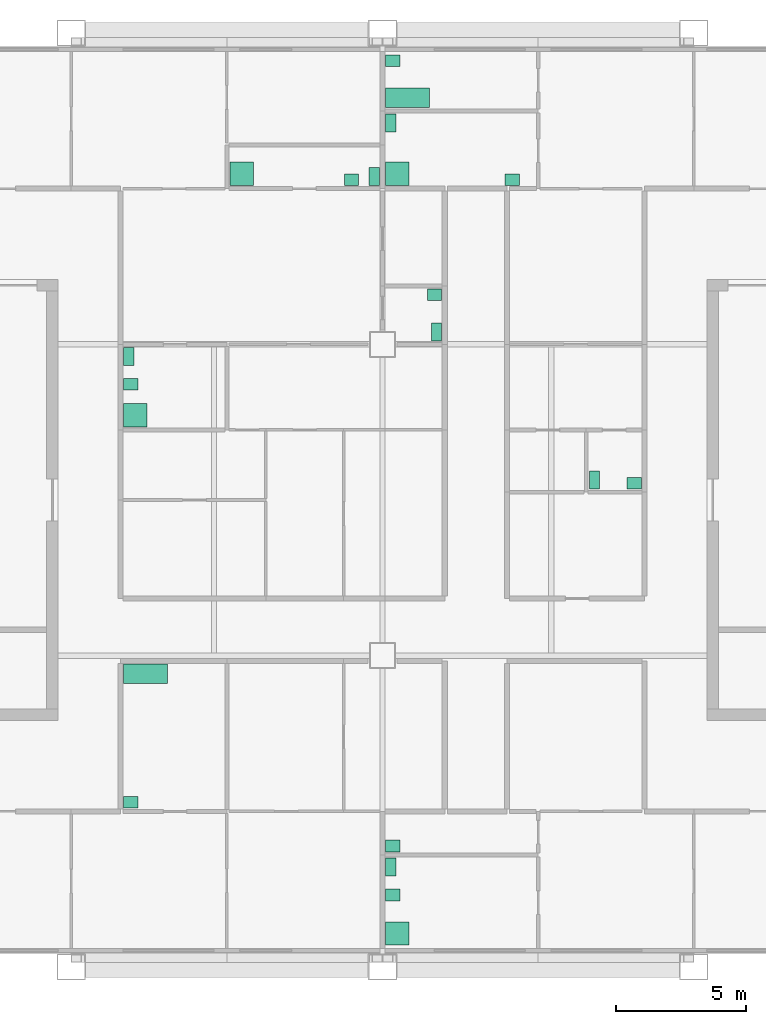
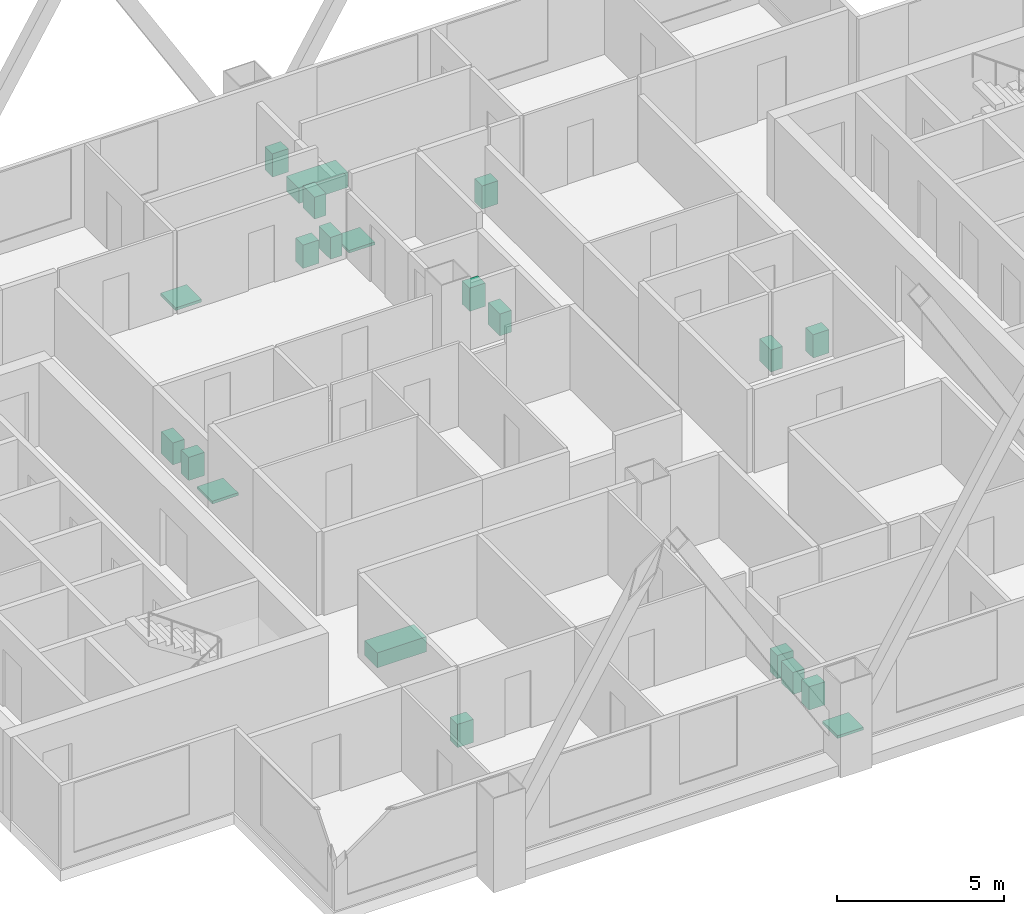
# One storey, part 9 of 9: 21 sanitary terminals.
"""IFC4 building model written with IfcOpenShell, lengths in metres."""

import ifcopenshell
import ifcopenshell.guid

model = None  # the IFC model being written
_history = None  # IfcOwnerHistory: only IFC2X3 demands one
_inside = {}  # id of a spatial element -> (the spatial element, [elements in it])
_under = {}  # id of a project, library or spatial element -> (it, [spatial elements below it])
_declared = {}  # id of a project -> (the project, [libraries it declares])
_typed = {}  # id of a type object -> (the type object, [elements of that type])
_made_of = {}  # id of a material, layer set ... -> (it, [elements and type objects made of it])


def new_model(schema):
    """Start an empty IFC model of exactly this schema.

    Asked for "IFC4X3", IfcOpenShell would pick the latest addendum, in which some entities
    have other attributes; the version numbers below select the first issue.
    IFC2X3 requires an IfcOwnerHistory on every rooted entity: one is made here for all.
    """
    global model, _history
    if schema == "IFC4X3":
        model = ifcopenshell.file(schema_version=(4, 3, 0, 0))
    else:
        model = ifcopenshell.file(schema=schema)
    _inside.clear()
    _under.clear()
    _declared.clear()
    _typed.clear()
    _made_of.clear()
    _history = None
    if model.schema == "IFC2X3":
        org = make("IfcOrganization", Name="unknown")
        user = make(
            "IfcPersonAndOrganization",
            ThePerson=make("IfcPerson", FamilyName="unknown"),
            TheOrganization=org,
        )
        app = make(
            "IfcApplication",
            ApplicationDeveloper=org,
            Version="unknown",
            ApplicationFullName="unknown",
            ApplicationIdentifier="unknown",
        )
        _history = make(
            "IfcOwnerHistory",
            OwningUser=user,
            OwningApplication=app,
            ChangeAction="ADDED",
            CreationDate=0,
        )
    return model


def make(cls, **values):
    """One entity of the class cls with the attributes given. An attribute that is None is left unset."""
    return model.create_entity(
        cls, **{name: value for name, value in values.items() if value is not None}
    )


def rooted(cls, **values):
    """An entity with a GlobalId (a new one), such as an element, a storey or a relation."""
    return make(cls, GlobalId=ifcopenshell.guid.new(), OwnerHistory=_history, **values)


def si_unit(unit_type, name, prefix=None):
    """IfcSIUnit, for example si_unit("LENGTHUNIT", "METRE", prefix="MILLI")."""
    return make("IfcSIUnit", UnitType=unit_type, Prefix=prefix, Name=name)


def assignment(units):
    """IfcUnitAssignment: the units of a project."""
    return None if units is None else make("IfcUnitAssignment", Units=units)


def point(xyz):
    """IfcCartesianPoint."""
    return None if xyz is None else make("IfcCartesianPoint", Coordinates=xyz)


def direction(xyz):
    """IfcDirection."""
    return None if xyz is None else make("IfcDirection", DirectionRatios=xyz)


def frame(location, z_axis=None, x_axis=None):
    """IfcAxis2Placement3D, a coordinate frame: its origin and axes. An axis left out is left unset."""
    return make(
        "IfcAxis2Placement3D",
        Location=point(location),
        Axis=direction(z_axis),
        RefDirection=direction(x_axis),
    )


def frame_2d(location, x_axis=None):
    """IfcAxis2Placement2D, a coordinate frame in the plane: its origin and x axis."""
    return make(
        "IfcAxis2Placement2D", Location=point(location), RefDirection=direction(x_axis)
    )


def origin():
    """The frame at (0, 0, 0) with its axes left unset."""
    return frame((0.0, 0.0, 0.0))


def origin_2d():
    """The frame at (0, 0) in the plane with its x axis left unset."""
    return frame_2d((0.0, 0.0))


def place(relative_to, where):
    """IfcLocalPlacement: puts the frame where relative to a parent placement (None: the world)."""
    return make(
        "IfcLocalPlacement", PlacementRelTo=relative_to, RelativePlacement=where
    )


def context(
    kind, dimensions, precision=None, world=None, true_north=None, identifier=None
):
    """IfcGeometricRepresentationContext, for example the 3D "Model" context."""
    return make(
        "IfcGeometricRepresentationContext",
        ContextIdentifier=identifier,
        ContextType=kind,
        CoordinateSpaceDimension=dimensions,
        Precision=precision,
        WorldCoordinateSystem=world,
        TrueNorth=true_north,
    )


def subcontext(parent, identifier, kind, view, scale=None):
    """IfcGeometricRepresentationSubContext, for example "Body" below "Model"."""
    return make(
        "IfcGeometricRepresentationSubContext",
        ContextIdentifier=identifier,
        ContextType=kind,
        ParentContext=parent,
        TargetScale=scale,
        TargetView=view,
    )


def project(units=None, contexts=None):
    """IfcProject with its units and contexts."""
    return rooted(
        "IfcProject",
        Name="project",
        RepresentationContexts=contexts,
        UnitsInContext=assignment(units),
    )


def spatial(cls, under=None, at=None, **own):
    """A site, building, storey or space (cls), placed at a placement, below another one or the project."""
    s = rooted(cls, ObjectPlacement=at, **own)
    if under is not None:
        _under.setdefault(under.id(), (under, []))[1].append(s)
    return s


def profile(cls, at=None, kind="AREA", **sizes):
    """A parametric profile (cls). Its sizes go by their IFC names, for example OverallWidth=200.0."""
    return make(cls, ProfileType=kind, Position=at, **sizes)


def rectangle(**sizes):
    """IfcRectangleProfileDef."""
    return profile("IfcRectangleProfileDef", **sizes)


def extrude(swept, where, along, depth):
    """IfcExtrudedAreaSolid: the profile swept, set in the frame where, extruded along a direction by depth."""
    return make(
        "IfcExtrudedAreaSolid",
        SweptArea=swept,
        Position=where,
        ExtrudedDirection=direction(along),
        Depth=depth,
    )


def shape(context_of_items, identifier, shape_type, items):
    """IfcShapeRepresentation: the items that make up one representation, for example the "Body"."""
    return make(
        "IfcShapeRepresentation",
        ContextOfItems=context_of_items,
        RepresentationIdentifier=identifier,
        RepresentationType=shape_type,
        Items=items,
    )


def material(Name=None, Category=None):
    """IfcMaterial."""
    return make("IfcMaterial", Name=Name, Category=Category)


def made_of(thing, what):
    """Note that an element or type object is made of a material, layer set ...; save() writes the relation."""
    if what is not None:
        _made_of.setdefault(what.id(), (what, []))[1].append(thing)
    return thing


def type_object(cls, material=None, **own):
    """A type object (cls), such as IfcWallType, which elements share."""
    return made_of(rooted(cls, **own), material)


def element(
    cls,
    number,
    at=None,
    inside=None,
    cuts=None,
    type_object=None,
    material=None,
    context=None,
    identifier="Body",
    shape_type=None,
    held_by="IfcProductDefinitionShape",
    body=None,
    shapes=None,
    **own,
):
    """One element of the class cls, such as IfcWall. Its Tag is "e" and its number.

    at: its placement. inside: the storey or other place that contains it. cuts: it is an
    opening in that element (IfcRelVoidsElement). A single representation is given by context,
    identifier, shape_type and body (its items); several are given by shapes. held_by: the class
    of the entity that holds the representations. save() writes the other relations.
    """
    e = rooted(cls, Tag="e%d" % number, ObjectPlacement=at, **own)
    if body is not None:
        shapes = [shape(context, identifier, shape_type, body)]
    if shapes is not None:
        e.Representation = make(held_by, Representations=shapes)
    if inside is not None:
        _inside.setdefault(inside.id(), (inside, []))[1].append(e)
    if cuts is not None:
        rooted(
            "IfcRelVoidsElement", RelatingBuildingElement=cuts, RelatedOpeningElement=e
        )
    if type_object is not None:
        _typed.setdefault(type_object.id(), (type_object, []))[1].append(e)
    return made_of(e, material)


def aggregate(whole, parts):
    """IfcRelAggregates: a whole, such as a stair, and the parts it consists of."""
    return rooted("IfcRelAggregates", RelatingObject=whole, RelatedObjects=parts)


def save(model, path):
    """Write the relations noted so far, then the file.

    IfcRelAggregates (storeys below a building ...), IfcRelContainedInSpatialStructure (elements
    in a storey), IfcRelDefinesByType, IfcRelAssociatesMaterial and IfcRelDeclares: one each for
    every whole, place, type object, material and project.
    """
    for whole, parts in _under.values():
        aggregate(whole, parts)
    for where, things in _inside.values():
        rooted(
            "IfcRelContainedInSpatialStructure",
            RelatedElements=things,
            RelatingStructure=where,
        )
    for kind, things in _typed.values():
        rooted("IfcRelDefinesByType", RelatedObjects=things, RelatingType=kind)
    for what, things in _made_of.values():
        rooted("IfcRelAssociatesMaterial", RelatedObjects=things, RelatingMaterial=what)
    for by, libraries in _declared.values():
        rooted("IfcRelDeclares", RelatingContext=by, RelatedDefinitions=libraries)
    model.write(path)


model = new_model("IFC4")

# Units and contexts
model_context = context("Model", 3, precision=1e-05, world=origin(), true_north=direction((0.0, 1.0)))
body_context = subcontext(model_context, "Body", "Model", "MODEL_VIEW")
ifc_project = project(units=[si_unit("LENGTHUNIT", "METRE"), si_unit("AREAUNIT", "SQUARE_METRE"), si_unit("VOLUMEUNIT", "CUBIC_METRE"), si_unit("PLANEANGLEUNIT", "RADIAN"), si_unit("MASSUNIT", "GRAM", prefix="KILO")], contexts=[model_context])

# Site, building, storey
site_placement = place(None, origin())
site = spatial("IfcSite", under=ifc_project, at=site_placement, CompositionType="ELEMENT")
building_placement = place(site_placement, origin())
building = spatial("IfcBuilding", under=site, at=building_placement, Name="Kitamizu Gate Tower and Museum", CompositionType="ELEMENT")
storey_placement = place(building_placement, frame((0.0, 0.0, 217.949951171875)))
storey = spatial("IfcBuildingStorey", under=building, at=storey_placement, Name="L58", CompositionType="ELEMENT", Elevation=217.949951171875)

# Sanitary terminals
ifc_material_1 = material(Name="Acrylic")
sanitary_terminal_type_1 = type_object("IfcSanitaryTerminalType", Name="Bath", PredefinedType="BATH", material=ifc_material_1)
for number, where, z_axis, x_axis, name in (
    (1, (26.8701171875, 23.304931640625, 0.0009765625), (0.0, 0.0, 1.0), (1.0, 0.0, 0.0), "Bath Bathroom and WC 58A"),
    (2, (36.969970703125, 45.4951171875, 0.0009765625), (0.0, 0.0, 1.0), (1.0, 0.0, 0.0), "Bath Bathroom 58D"),
):
    element("IfcSanitaryTerminal", number, at=place(storey_placement, frame(where, z_axis=z_axis, x_axis=x_axis)), inside=storey, type_object=sanitary_terminal_type_1, Name=name, PredefinedType="BATH", context=body_context, shape_type="SweptSolid", body=[
        extrude(rectangle(XDim=1.699951171875, YDim=0.75, at=origin_2d()), origin(), (0.0, 0.0, 1.0), 0.550048828125),
    ])
ifc_material_2 = material(Name="Acrylic")
sanitary_terminal_type_2 = type_object("IfcSanitaryTerminalType", Name="Shower tray", PredefinedType="SHOWER", material=ifc_material_2)
for number, where, z_axis, x_axis, name in (
    (3, (36.570068359375, 13.2900390625, 0.0009765625), (0.0, 0.0, 1.0), (1.0, 0.0, 0.0), "Shower tray En-suite bathroom and WC 58B"),
    (4, (30.570068359375, 42.570068359375, 0.0009765625), (0.0, 0.0, 1.0), (1.0, 0.0, 0.0), "Shower tray En-suite bathroom 58C"),
    (5, (26.469970703125, 33.27001953125, 0.0009765625), (0.0, 0.0, 1.0), (1.0, 0.0, 0.0), "Shower tray En-suite bathroom 58C"),
    (6, (36.570068359375, 42.570068359375, 0.0009765625), (0.0, 0.0, 1.0), (1.0, 0.0, 0.0), "Shower tray En-suite bathroom 58D"),
):
    element("IfcSanitaryTerminal", number, at=place(storey_placement, frame(where, z_axis=z_axis, x_axis=x_axis)), inside=storey, type_object=sanitary_terminal_type_2, Name=name, PredefinedType="SHOWER", context=body_context, shape_type="SweptSolid", body=[
        extrude(rectangle(XDim=0.89990234375, YDim=0.89990234375, at=origin_2d()), origin(), (0.0, 0.0, 1.0), 0.10009765625),
    ])
ifc_material_3 = material(Name="Vitreous china")
sanitary_terminal_type_3 = type_object("IfcSanitaryTerminalType", Name="Wash hand basin", PredefinedType="WASHHANDBASIN", material=ifc_material_3)
for number, where, z_axis, x_axis, name in (
    (7, (26.294921875, 18.344970703125, 0.0009765625), (0.0, 0.0, 1.0), (1.0, 0.0, 0.0), "Wash hand basin Bathroom and WC 58A"),
    (8, (36.39501953125, 14.77490234375, 0.0009765625), (0.0, 0.0, 1.0), (1.0, 0.0, 0.0), "Wash hand basin En-suite bathroom and WC 58B"),
    (9, (36.39501953125, 16.6650390625, 0.0009765625), (0.0, 0.0, 1.0), (1.0, 0.0, 0.0), "Wash hand basin Wash room 58B"),
    (10, (34.804931640625, 42.344970703125, 0.0009765625), (0.0, 0.0, 1.0), (1.0, 0.0, 0.0), "Wash hand basin En-suite bathroom 58C"),
    (11, (38.0048828125, 37.905029296875, 0.0009765625), (0.0, 0.0, 1.0), (1.0, 0.0, 0.0), "Wash hand basin WC 58C"),
    (12, (26.294921875, 34.455078125, 0.0009765625), (0.0, 0.0, 1.0), (1.0, 0.0, 0.0), "Wash hand basin En-suite bathroom 58C"),
    (13, (41.0048828125, 42.344970703125, 0.0009765625), (0.0, 0.0, 1.0), (1.0, 0.0, 0.0), "Wash hand basin En-suite bathroom 58D"),
    (14, (36.39501953125, 46.93505859375, 0.0009765625), (0.0, 0.0, 1.0), (1.0, 0.0, 0.0), "Wash hand basin Bathroom 58D"),
    (15, (45.705078125, 30.64501953125, 0.0009765625), (0.0, 0.0, 1.0), (1.0, 0.0, 0.0), "Wash hand basin WC 58D"),
):
    element("IfcSanitaryTerminal", number, at=place(storey_placement, frame(where, z_axis=z_axis, x_axis=x_axis)), inside=storey, type_object=sanitary_terminal_type_3, Name=name, PredefinedType="WASHHANDBASIN", context=body_context, shape_type="SweptSolid", body=[
        extrude(rectangle(XDim=0.550048828125, YDim=0.449951171875, at=origin_2d()), origin(), (0.0, 0.0, 1.0), 0.85009765625),
    ])
ifc_material_4 = material(Name="Vitreous china")
sanitary_terminal_type_4 = type_object("IfcSanitaryTerminalType", Name="Water closet", PredefinedType="TOILETPAN", material=ifc_material_4)
for number, where, z_axis, x_axis, name in (
    (16, (36.320068359375, 15.85009765625, 0.0009765625), (0.0, 0.0, 1.0), (1.0, 0.0, 0.0), "Water closet En-suite bathroom and WC 58B"),
    (17, (35.679931640625, 42.469970703125, 0.0009765625), (0.0, 0.0, 1.0), (1.0, 0.0, 0.0), "Water closet En-suite bathroom 58C"),
    (18, (38.080078125, 36.469970703125, 0.0009765625), (0.0, 0.0, 1.0), (1.0, 0.0, 0.0), "Water closet WC 58C"),
    (19, (26.219970703125, 35.530029296875, 0.0009765625), (0.0, 0.0, 1.0), (1.0, 0.0, 0.0), "Water closet En-suite bathroom 58C"),
    (20, (36.320068359375, 44.530029296875, 0.0009765625), (0.0, 0.0, 1.0), (1.0, 0.0, 0.0), "Water closet En-suite bathroom 58D"),
    (21, (44.169921875, 30.77001953125, 0.0009765625), (0.0, 0.0, 1.0), (1.0, 0.0, 0.0), "Water closet WC 58D"),
):
    element("IfcSanitaryTerminal", number, at=place(storey_placement, frame(where, z_axis=z_axis, x_axis=x_axis)), inside=storey, type_object=sanitary_terminal_type_4, Name=name, PredefinedType="TOILETPAN", context=body_context, shape_type="SweptSolid", body=[
        extrude(rectangle(XDim=0.39990234375, YDim=0.699951171875, at=origin_2d()), origin(), (0.0, 0.0, 1.0), 0.800048828125),
    ])

save(model, "model.ifc")
